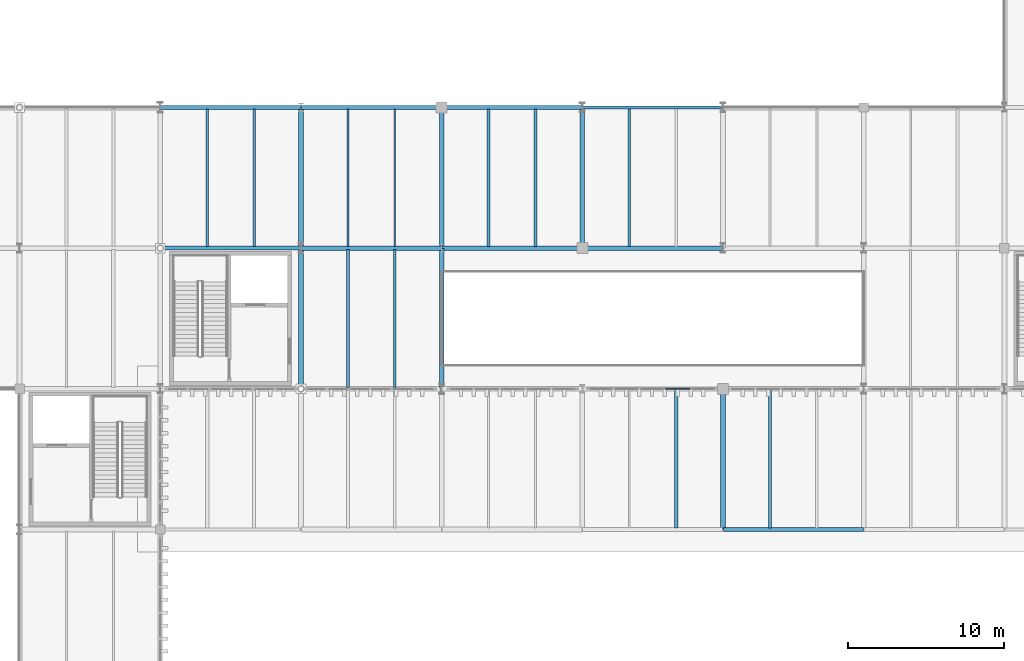
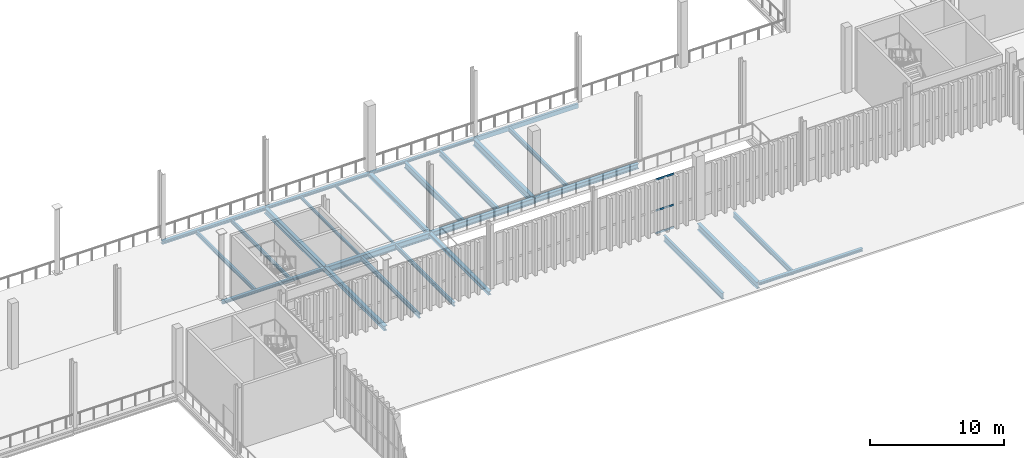
# One storey, part 66 of 211: 26 beams, 3 members, 1 element without a shape of its own.
"""IFC4 building model written with IfcOpenShell, lengths in metres."""

import ifcopenshell
import ifcopenshell.guid

model = None  # the IFC model being written
_history = None  # IfcOwnerHistory: only IFC2X3 demands one
_inside = {}  # id of a spatial element -> (the spatial element, [elements in it])
_under = {}  # id of a project, library or spatial element -> (it, [spatial elements below it])
_declared = {}  # id of a project -> (the project, [libraries it declares])
_typed = {}  # id of a type object -> (the type object, [elements of that type])
_made_of = {}  # id of a material, layer set ... -> (it, [elements and type objects made of it])


def new_model(schema):
    """Start an empty IFC model of exactly this schema.

    Asked for "IFC4X3", IfcOpenShell would pick the latest addendum, in which some entities
    have other attributes; the version numbers below select the first issue.
    IFC2X3 requires an IfcOwnerHistory on every rooted entity: one is made here for all.
    """
    global model, _history
    if schema == "IFC4X3":
        model = ifcopenshell.file(schema_version=(4, 3, 0, 0))
    else:
        model = ifcopenshell.file(schema=schema)
    _inside.clear()
    _under.clear()
    _declared.clear()
    _typed.clear()
    _made_of.clear()
    _history = None
    if model.schema == "IFC2X3":
        org = make("IfcOrganization", Name="unknown")
        user = make(
            "IfcPersonAndOrganization",
            ThePerson=make("IfcPerson", FamilyName="unknown"),
            TheOrganization=org,
        )
        app = make(
            "IfcApplication",
            ApplicationDeveloper=org,
            Version="unknown",
            ApplicationFullName="unknown",
            ApplicationIdentifier="unknown",
        )
        _history = make(
            "IfcOwnerHistory",
            OwningUser=user,
            OwningApplication=app,
            ChangeAction="ADDED",
            CreationDate=0,
        )
    return model


def make(cls, **values):
    """One entity of the class cls with the attributes given. An attribute that is None is left unset."""
    return model.create_entity(
        cls, **{name: value for name, value in values.items() if value is not None}
    )


def rooted(cls, **values):
    """An entity with a GlobalId (a new one), such as an element, a storey or a relation."""
    return make(cls, GlobalId=ifcopenshell.guid.new(), OwnerHistory=_history, **values)


def si_unit(unit_type, name, prefix=None):
    """IfcSIUnit, for example si_unit("LENGTHUNIT", "METRE", prefix="MILLI")."""
    return make("IfcSIUnit", UnitType=unit_type, Prefix=prefix, Name=name)


def assignment(units):
    """IfcUnitAssignment: the units of a project."""
    return None if units is None else make("IfcUnitAssignment", Units=units)


def point(xyz):
    """IfcCartesianPoint."""
    return None if xyz is None else make("IfcCartesianPoint", Coordinates=xyz)


def direction(xyz):
    """IfcDirection."""
    return None if xyz is None else make("IfcDirection", DirectionRatios=xyz)


def frame(location, z_axis=None, x_axis=None):
    """IfcAxis2Placement3D, a coordinate frame: its origin and axes. An axis left out is left unset."""
    return make(
        "IfcAxis2Placement3D",
        Location=point(location),
        Axis=direction(z_axis),
        RefDirection=direction(x_axis),
    )


def frame_2d(location, x_axis=None):
    """IfcAxis2Placement2D, a coordinate frame in the plane: its origin and x axis."""
    return make(
        "IfcAxis2Placement2D", Location=point(location), RefDirection=direction(x_axis)
    )


def origin():
    """The frame at (0, 0, 0) with its axes left unset."""
    return frame((0.0, 0.0, 0.0))


def origin_2d():
    """The frame at (0, 0) in the plane with its x axis left unset."""
    return frame_2d((0.0, 0.0))


def place(relative_to, where):
    """IfcLocalPlacement: puts the frame where relative to a parent placement (None: the world)."""
    return make(
        "IfcLocalPlacement", PlacementRelTo=relative_to, RelativePlacement=where
    )


def context(
    kind, dimensions, precision=None, world=None, true_north=None, identifier=None
):
    """IfcGeometricRepresentationContext, for example the 3D "Model" context."""
    return make(
        "IfcGeometricRepresentationContext",
        ContextIdentifier=identifier,
        ContextType=kind,
        CoordinateSpaceDimension=dimensions,
        Precision=precision,
        WorldCoordinateSystem=world,
        TrueNorth=true_north,
    )


def subcontext(parent, identifier, kind, view, scale=None):
    """IfcGeometricRepresentationSubContext, for example "Body" below "Model"."""
    return make(
        "IfcGeometricRepresentationSubContext",
        ContextIdentifier=identifier,
        ContextType=kind,
        ParentContext=parent,
        TargetScale=scale,
        TargetView=view,
    )


def project(units=None, contexts=None):
    """IfcProject with its units and contexts."""
    return rooted(
        "IfcProject",
        Name="project",
        RepresentationContexts=contexts,
        UnitsInContext=assignment(units),
    )


def spatial(cls, under=None, at=None, **own):
    """A site, building, storey or space (cls), placed at a placement, below another one or the project."""
    s = rooted(cls, ObjectPlacement=at, **own)
    if under is not None:
        _under.setdefault(under.id(), (under, []))[1].append(s)
    return s


def profile(cls, at=None, kind="AREA", **sizes):
    """A parametric profile (cls). Its sizes go by their IFC names, for example OverallWidth=200.0."""
    return make(cls, ProfileType=kind, Position=at, **sizes)


def hollow_rectangle(**sizes):
    """IfcRectangleHollowProfileDef."""
    return profile("IfcRectangleHollowProfileDef", **sizes)


def i_section(**sizes):
    """IfcIShapeProfileDef."""
    return profile("IfcIShapeProfileDef", **sizes)


def extrude(swept, where, along, depth):
    """IfcExtrudedAreaSolid: the profile swept, set in the frame where, extruded along a direction by depth."""
    return make(
        "IfcExtrudedAreaSolid",
        SweptArea=swept,
        Position=where,
        ExtrudedDirection=direction(along),
        Depth=depth,
    )


def shape(context_of_items, identifier, shape_type, items):
    """IfcShapeRepresentation: the items that make up one representation, for example the "Body"."""
    return make(
        "IfcShapeRepresentation",
        ContextOfItems=context_of_items,
        RepresentationIdentifier=identifier,
        RepresentationType=shape_type,
        Items=items,
    )


def material(Name=None, Category=None):
    """IfcMaterial."""
    return make("IfcMaterial", Name=Name, Category=Category)


def layer(
    of_material, thickness, ventilated=None, Name=None, Category=None, Priority=None
):
    """IfcMaterialLayer: one layer of a wall or slab, of a material (None: an air gap)."""
    return make(
        "IfcMaterialLayer",
        Material=of_material,
        LayerThickness=thickness,
        IsVentilated=ventilated,
        Name=Name,
        Category=Category,
        Priority=Priority,
    )


def layer_set(layers, Name=None):
    """IfcMaterialLayerSet."""
    return make("IfcMaterialLayerSet", MaterialLayers=layers, LayerSetName=Name)


def material_profile(
    of_material, cross_section, Name=None, Category=None, Priority=None
):
    """IfcMaterialProfile: a cross section and its material."""
    return make(
        "IfcMaterialProfile",
        Name=Name,
        Material=of_material,
        Profile=cross_section,
        Priority=Priority,
        Category=Category,
    )


def profile_set(profiles, Name=None, composite=None):
    """IfcMaterialProfileSet."""
    return make(
        "IfcMaterialProfileSet",
        Name=Name,
        MaterialProfiles=profiles,
        CompositeProfile=composite,
    )


def made_of(thing, what):
    """Note that an element or type object is made of a material, layer set ...; save() writes the relation."""
    if what is not None:
        _made_of.setdefault(what.id(), (what, []))[1].append(thing)
    return thing


def type_object(cls, material=None, **own):
    """A type object (cls), such as IfcWallType, which elements share."""
    return made_of(rooted(cls, **own), material)


def element(
    cls,
    number,
    at=None,
    inside=None,
    cuts=None,
    type_object=None,
    material=None,
    context=None,
    identifier="Body",
    shape_type=None,
    held_by="IfcProductDefinitionShape",
    body=None,
    shapes=None,
    **own,
):
    """One element of the class cls, such as IfcWall. Its Tag is "e" and its number.

    at: its placement. inside: the storey or other place that contains it. cuts: it is an
    opening in that element (IfcRelVoidsElement). A single representation is given by context,
    identifier, shape_type and body (its items); several are given by shapes. held_by: the class
    of the entity that holds the representations. save() writes the other relations.
    """
    e = rooted(cls, Tag="e%d" % number, ObjectPlacement=at, **own)
    if body is not None:
        shapes = [shape(context, identifier, shape_type, body)]
    if shapes is not None:
        e.Representation = make(held_by, Representations=shapes)
    if inside is not None:
        _inside.setdefault(inside.id(), (inside, []))[1].append(e)
    if cuts is not None:
        rooted(
            "IfcRelVoidsElement", RelatingBuildingElement=cuts, RelatedOpeningElement=e
        )
    if type_object is not None:
        _typed.setdefault(type_object.id(), (type_object, []))[1].append(e)
    return made_of(e, material)


def aggregate(whole, parts):
    """IfcRelAggregates: a whole, such as a stair, and the parts it consists of."""
    return rooted("IfcRelAggregates", RelatingObject=whole, RelatedObjects=parts)


def save(model, path):
    """Write the relations noted so far, then the file.

    IfcRelAggregates (storeys below a building ...), IfcRelContainedInSpatialStructure (elements
    in a storey), IfcRelDefinesByType, IfcRelAssociatesMaterial and IfcRelDeclares: one each for
    every whole, place, type object, material and project.
    """
    for whole, parts in _under.values():
        aggregate(whole, parts)
    for where, things in _inside.values():
        rooted(
            "IfcRelContainedInSpatialStructure",
            RelatedElements=things,
            RelatingStructure=where,
        )
    for kind, things in _typed.values():
        rooted("IfcRelDefinesByType", RelatedObjects=things, RelatingType=kind)
    for what, things in _made_of.values():
        rooted("IfcRelAssociatesMaterial", RelatedObjects=things, RelatingMaterial=what)
    for by, libraries in _declared.values():
        rooted("IfcRelDeclares", RelatingContext=by, RelatedDefinitions=libraries)
    model.write(path)


model = new_model("IFC4")

# Units and contexts
model_context = context("Model", 3, precision=1e-05, world=origin(), true_north=direction((0.0, 1.0)))
body_context = subcontext(model_context, "Body", "Model", "MODEL_VIEW")
ifc_project = project(units=[si_unit("LENGTHUNIT", "METRE"), si_unit("AREAUNIT", "SQUARE_METRE"), si_unit("VOLUMEUNIT", "CUBIC_METRE"), si_unit("PLANEANGLEUNIT", "RADIAN"), si_unit("MASSUNIT", "GRAM", prefix="KILO")], contexts=[model_context])

# Site, building, storey
site_placement = place(None, origin())
site = spatial("IfcSite", under=ifc_project, at=site_placement, CompositionType="ELEMENT")
building_placement = place(site_placement, origin())
building = spatial("IfcBuilding", under=site, at=building_placement, Name="Barlavento Convention Centre", CompositionType="ELEMENT")
storey_placement = place(building_placement, frame((0.0, 0.0, 6.0)))
storey = spatial("IfcBuildingStorey", under=building, at=storey_placement, Name="L01", CompositionType="ELEMENT", Elevation=6.0)

# Curtain wall, members
ifc_material_1 = material(Name="Powder-coated aluminium and Low-E glass", Category="aluminium")
ifc_layer = layer(ifc_material_1, 0.195068359375)
ifc_layer_set = layer_set([ifc_layer], Name="ARC-CW-FOY-L01")
curtain_wall_type = type_object("IfcCurtainWallType", Name="ARC-CW-FOY-L01", PredefinedType="NOTDEFINED", material=ifc_layer_set)
curtain_wall_placement = place(storey_placement, origin())
curtain_wall = element("IfcCurtainWall", 1, at=curtain_wall_placement, inside=storey, type_object=curtain_wall_type, Name="L01 unitised curtain wall CW03", PredefinedType="NOTDEFINED")
ifc_material_2 = material(Name="Powder-coated aluminium", Category="aluminium")
ifc_material_profile_1 = material_profile(ifc_material_2, hollow_rectangle(XDim=0.06494140625, YDim=0.159912109375, WallThickness=0.0048828125, at=origin_2d()), Name="AL-TRAN 65x160x5")
ifc_profile_set_1 = profile_set([ifc_material_profile_1], Name="Powder-coated aluminium")
member_type = type_object("IfcMemberType", Name="ARC-CWT-65X160", PredefinedType="USERDEFINED", material=ifc_profile_set_1)
member_1_placement = place(storey_placement, frame((95.311279296875, 45.0, 0.032470703125), z_axis=(1.0, 0.0, 0.0), x_axis=(0.0, 1.0, 0.0)))
member_1 = element("IfcMember", 2, at=member_1_placement, type_object=member_type, Name="CW03 transom 4.1", ObjectType="TRANSOM", PredefinedType="USERDEFINED", context=body_context, shape_type="SweptSolid", body=[
    extrude(hollow_rectangle(XDim=0.06494140625, YDim=0.159912109375, WallThickness=0.0048828125, at=origin_2d()), origin(), (0.0, 0.0, 1.0), 1.58056640625),
])
member_2_placement = place(storey_placement, frame((95.311279296875, 45.0, 2.10009765625), z_axis=(1.0, 0.0, 0.0), x_axis=(0.0, 1.0, 0.0)))
member_2 = element("IfcMember", 3, at=member_2_placement, type_object=member_type, Name="CW03 transom 4.2", ObjectType="TRANSOM", PredefinedType="USERDEFINED", context=body_context, shape_type="SweptSolid", body=[
    extrude(hollow_rectangle(XDim=0.06494140625, YDim=0.159912109375, WallThickness=0.0048828125, at=origin_2d()), origin(), (0.0, 0.0, 1.0), 1.58056640625),
])
member_3_placement = place(storey_placement, frame((95.311279296875, 45.0, 4.91748046875), z_axis=(1.0, 0.0, 0.0), x_axis=(0.0, 1.0, 0.0)))
member_3 = element("IfcMember", 4, at=member_3_placement, type_object=member_type, Name="CW03 transom 4.3", ObjectType="TRANSOM", PredefinedType="USERDEFINED", context=body_context, shape_type="SweptSolid", body=[
    extrude(hollow_rectangle(XDim=0.06494140625, YDim=0.159912109375, WallThickness=0.0048828125, at=origin_2d()), origin(), (0.0, 0.0, 1.0), 1.58056640625),
])
aggregate(curtain_wall, [member_1, member_2, member_3])

# Beams
ifc_material_3 = material(Name="Steel S355", Category="steel")
ifc_material_profile_2 = material_profile(ifc_material_3, i_section(OverallWidth=0.1201171875, OverallDepth=0.239990234375, WebThickness=0.006103515625, FlangeThickness=0.009765625, FilletRadius=0.014892578125, at=origin_2d()), Name="IPE 240")
ifc_profile_set_2 = profile_set([ifc_material_profile_2], Name="Steel S355")
beam_type_1 = type_object("IfcBeamType", Name="STR-BM-JST-IPE240", PredefinedType="JOIST", material=ifc_profile_set_2)
beam_1_placement = place(storey_placement, frame((78.0, 54.094970703125, -0.409912109375), z_axis=(0.0, 1.0, 0.0), x_axis=(-1.0, 0.0, 0.0)))
element("IfcBeam", 5, at=beam_1_placement, inside=storey, type_object=beam_type_1, Name="L01 composite floor joist SJ09", PredefinedType="JOIST", context=body_context, shape_type="SweptSolid", body=[
    extrude(i_section(OverallWidth=0.1201171875, OverallDepth=0.239990234375, WebThickness=0.006103515625, FlangeThickness=0.009765625, FilletRadius=0.014892578125, at=origin_2d()), origin(), (0.0, 0.0, 1.0), 8.81005859375),
])
ifc_material_profile_3 = material_profile(ifc_material_3, i_section(OverallWidth=0.135009765625, OverallDepth=0.27001953125, WebThickness=0.006591796875, FlangeThickness=0.01025390625, FilletRadius=0.014892578125, at=origin_2d()), Name="IPE 270")
ifc_profile_set_3 = profile_set([ifc_material_profile_3], Name="Steel S355")
beam_type_2 = type_object("IfcBeamType", Name="STR-BM-JST-IPE270", PredefinedType="JOIST", material=ifc_profile_set_3)
beam_2_placement = place(storey_placement, frame((75.0, 54.094970703125, -0.425048828125), z_axis=(0.0, 1.0, 0.0), x_axis=(-1.0, 0.0, 0.0)))
element("IfcBeam", 6, at=beam_2_placement, inside=storey, type_object=beam_type_2, Name="L01 composite floor joist SJ08", PredefinedType="JOIST", context=body_context, shape_type="SweptSolid", body=[
    extrude(i_section(OverallWidth=0.135009765625, OverallDepth=0.27001953125, WebThickness=0.006591796875, FlangeThickness=0.01025390625, FilletRadius=0.014892578125, at=origin_2d()), origin(), (0.0, 0.0, 1.0), 8.81005859375),
])
ifc_material_profile_4 = material_profile(ifc_material_3, i_section(OverallWidth=0.159912109375, OverallDepth=0.330078125, WebThickness=0.007568359375, FlangeThickness=0.011474609375, FilletRadius=0.01806640625, at=origin_2d()), Name="IPE 330")
ifc_profile_set_4 = profile_set([ifc_material_profile_4], Name="Steel S355")
beam_type_3 = type_object("IfcBeamType", Name="STR-BM-JST-IPE330", PredefinedType="JOIST", material=ifc_profile_set_4)
beam_3_placement = place(storey_placement, frame((69.0, 54.094970703125, -0.455078125), z_axis=(0.0, 1.0, 0.0), x_axis=(-1.0, 0.0, 0.0)))
element("IfcBeam", 7, at=beam_3_placement, inside=storey, type_object=beam_type_3, Name="L01 composite floor joist SJ06", PredefinedType="JOIST", context=body_context, shape_type="SweptSolid", body=[
    extrude(i_section(OverallWidth=0.159912109375, OverallDepth=0.330078125, WebThickness=0.007568359375, FlangeThickness=0.011474609375, FilletRadius=0.01806640625, at=origin_2d()), origin(), (0.0, 0.0, 1.0), 8.81005859375),
])
ifc_material_profile_5 = material_profile(ifc_material_3, i_section(OverallWidth=0.169921875, OverallDepth=0.360107421875, WebThickness=0.008056640625, FlangeThickness=0.0126953125, FilletRadius=0.01806640625, at=origin_2d()), Name="IPE 360")
ifc_profile_set_5 = profile_set([ifc_material_profile_5], Name="Steel S355")
beam_type_4 = type_object("IfcBeamType", Name="STR-BM-JST-IPE360", PredefinedType="JOIST", material=ifc_profile_set_5)
for number, where, z_axis, x_axis, name in (
    (8, (78.0, 45.094970703125, -0.469970703125), (0.0, 1.0, 0.0), (-1.0, 0.0, 0.0), "L01 composite floor joist SJ05"),
    (9, (66.0, 54.094970703125, -0.469970703125), (0.0, 1.0, 0.0), (-1.0, 0.0, 0.0), "L01 composite floor joist SJ05"),
):
    element("IfcBeam", number, at=place(storey_placement, frame(where, z_axis=z_axis, x_axis=x_axis)), inside=storey, type_object=beam_type_4, Name=name, PredefinedType="JOIST", context=body_context, shape_type="SweptSolid", body=[
        extrude(i_section(OverallWidth=0.169921875, OverallDepth=0.360107421875, WebThickness=0.008056640625, FlangeThickness=0.0126953125, FilletRadius=0.01806640625, at=origin_2d()), origin(), (0.0, 0.0, 1.0), 8.81005859375),
    ])
ifc_material_profile_6 = material_profile(ifc_material_3, i_section(OverallWidth=0.179931640625, OverallDepth=0.39990234375, WebThickness=0.008544921875, FlangeThickness=0.013427734375, FilletRadius=0.02099609375, at=origin_2d()), Name="IPE 400")
ifc_profile_set_6 = profile_set([ifc_material_profile_6], Name="Steel S355")
beam_type_5 = type_object("IfcBeamType", Name="STR-BM-JST-IPE400", PredefinedType="JOIST", material=ifc_profile_set_6)
for number, where, z_axis, x_axis, name in (
    (10, (75.0, 45.094970703125, -0.489990234375), (0.0, 1.0, 0.0), (-1.0, 0.0, 0.0), "L01 composite floor joist SJ04"),
    (11, (93.0, 54.094970703125, -0.489990234375), (0.0, 1.0, 0.0), (-1.0, 0.0, 0.0), "L01 composite floor joist SJ04"),
):
    element("IfcBeam", number, at=place(storey_placement, frame(where, z_axis=z_axis, x_axis=x_axis)), inside=storey, type_object=beam_type_5, Name=name, PredefinedType="JOIST", context=body_context, shape_type="SweptSolid", body=[
        extrude(i_section(OverallWidth=0.179931640625, OverallDepth=0.39990234375, WebThickness=0.008544921875, FlangeThickness=0.013427734375, FilletRadius=0.02099609375, at=origin_2d()), origin(), (0.0, 0.0, 1.0), 8.81005859375),
    ])
ifc_material_profile_7 = material_profile(ifc_material_3, i_section(OverallWidth=0.18994140625, OverallDepth=0.449951171875, WebThickness=0.009521484375, FlangeThickness=0.0146484375, FilletRadius=0.02099609375, at=origin_2d()), Name="IPE 450")
ifc_profile_set_7 = profile_set([ifc_material_profile_7], Name="Steel S355")
beam_type_6 = type_object("IfcBeamType", Name="STR-BM-JST-IPE450", PredefinedType="JOIST", material=ifc_profile_set_7)
beam_4_placement = place(storey_placement, frame((102.0, 36.094970703125, -0.514892578125), z_axis=(0.0, 1.0, 0.0), x_axis=(-1.0, 0.0, 0.0)))
element("IfcBeam", 12, at=beam_4_placement, inside=storey, type_object=beam_type_6, Name="L01 composite floor joist SJ03", PredefinedType="JOIST", context=body_context, shape_type="SweptSolid", body=[
    extrude(i_section(OverallWidth=0.18994140625, OverallDepth=0.449951171875, WebThickness=0.009521484375, FlangeThickness=0.0146484375, FilletRadius=0.02099609375, at=origin_2d()), origin(), (0.0, 0.0, 1.0), 8.81005859375),
])
ifc_material_profile_8 = material_profile(ifc_material_3, i_section(OverallWidth=0.199951171875, OverallDepth=0.5, WebThickness=0.01025390625, FlangeThickness=0.01611328125, FilletRadius=0.02099609375, at=origin_2d()), Name="IPE 500")
ifc_profile_set_8 = profile_set([ifc_material_profile_8], Name="Steel S355")
beam_type_7 = type_object("IfcBeamType", Name="STR-BM-JST-IPE500", PredefinedType="JOIST", material=ifc_profile_set_8)
beam_5_placement = place(storey_placement, frame((87.0, 54.094970703125, -0.5400390625), z_axis=(0.0, 1.0, 0.0), x_axis=(-1.0, 0.0, 0.0)))
element("IfcBeam", 13, at=beam_5_placement, inside=storey, type_object=beam_type_7, Name="L01 composite floor joist SJ02", PredefinedType="JOIST", context=body_context, shape_type="SweptSolid", body=[
    extrude(i_section(OverallWidth=0.199951171875, OverallDepth=0.5, WebThickness=0.01025390625, FlangeThickness=0.01611328125, FilletRadius=0.02099609375, at=origin_2d()), origin(), (0.0, 0.0, 1.0), 8.81005859375),
])
ifc_material_profile_9 = material_profile(ifc_material_3, i_section(OverallWidth=0.2099609375, OverallDepth=0.550048828125, WebThickness=0.010986328125, FlangeThickness=0.01708984375, FilletRadius=0.02392578125, at=origin_2d()), Name="IPE 550")
ifc_profile_set_9 = profile_set([ifc_material_profile_9], Name="Steel S355")
beam_type_8 = type_object("IfcBeamType", Name="STR-BM-JST-IPE550", PredefinedType="JOIST", material=ifc_profile_set_9)
for number, where, z_axis, x_axis, name in (
    (14, (96.0, 36.094970703125, -0.56494140625), (0.0, 1.0, 0.0), (-1.0, 0.0, 0.0), "L01 composite floor joist SJ01"),
    (15, (84.0, 54.094970703125, -0.56494140625), (0.0, 1.0, 0.0), (-1.0, 0.0, 0.0), "L01 composite floor joist SJ01"),
):
    element("IfcBeam", number, at=place(storey_placement, frame(where, z_axis=z_axis, x_axis=x_axis)), inside=storey, type_object=beam_type_8, Name=name, PredefinedType="JOIST", context=body_context, shape_type="SweptSolid", body=[
        extrude(i_section(OverallWidth=0.2099609375, OverallDepth=0.550048828125, WebThickness=0.010986328125, FlangeThickness=0.01708984375, FilletRadius=0.02392578125, at=origin_2d()), origin(), (0.0, 0.0, 1.0), 8.81005859375),
    ])
ifc_material_profile_10 = material_profile(ifc_material_3, i_section(OverallWidth=0.300048828125, OverallDepth=0.330078125, WebThickness=0.009521484375, FlangeThickness=0.0166015625, FilletRadius=0.027099609375, at=origin_2d()), Name="HEA 340")
ifc_profile_set_10 = profile_set([ifc_material_profile_10], Name="Steel S355")
beam_type_9 = type_object("IfcBeamType", Name="STR-BM-PRI-HEA340", PredefinedType="BEAM", material=ifc_profile_set_10)
beam_6_placement = place(storey_placement, frame((81.0, 45.02001953125, -0.455078125), z_axis=(0.0, 1.0, 0.0), x_axis=(-1.0, 0.0, 0.0)))
element("IfcBeam", 16, at=beam_6_placement, inside=storey, type_object=beam_type_9, Name="L01 grid girder BG24", PredefinedType="BEAM", context=body_context, shape_type="SweptSolid", body=[
    extrude(i_section(OverallWidth=0.300048828125, OverallDepth=0.330078125, WebThickness=0.009521484375, FlangeThickness=0.0166015625, FilletRadius=0.027099609375, at=origin_2d()), origin(), (0.0, 0.0, 1.0), 8.9599609375),
])
ifc_material_profile_11 = material_profile(ifc_material_3, i_section(OverallWidth=0.300048828125, OverallDepth=0.389892578125, WebThickness=0.010986328125, FlangeThickness=0.01904296875, FilletRadius=0.027099609375, at=origin_2d()), Name="HEA 400")
ifc_profile_set_11 = profile_set([ifc_material_profile_11], Name="Steel S355")
beam_type_10 = type_object("IfcBeamType", Name="STR-BM-PRI-HEA400", PredefinedType="BEAM", material=ifc_profile_set_11)
beam_7_placement = place(storey_placement, frame((81.0, 54.02001953125, -0.485107421875), z_axis=(0.0, 1.0, 0.0), x_axis=(-1.0, 0.0, 0.0)))
element("IfcBeam", 17, at=beam_7_placement, inside=storey, type_object=beam_type_10, Name="L01 grid girder BG22", PredefinedType="BEAM", context=body_context, shape_type="SweptSolid", body=[
    extrude(i_section(OverallWidth=0.300048828125, OverallDepth=0.389892578125, WebThickness=0.010986328125, FlangeThickness=0.01904296875, FilletRadius=0.027099609375, at=origin_2d()), origin(), (0.0, 0.0, 1.0), 8.9599609375),
])
ifc_material_profile_12 = material_profile(ifc_material_3, i_section(OverallWidth=0.300048828125, OverallDepth=0.43994140625, WebThickness=0.011474609375, FlangeThickness=0.02099609375, FilletRadius=0.027099609375, at=origin_2d()), Name="HEA 450")
ifc_profile_set_12 = profile_set([ifc_material_profile_12], Name="Steel S355")
beam_type_11 = type_object("IfcBeamType", Name="STR-BM-PRI-HEA450", PredefinedType="BEAM", material=ifc_profile_set_12)
beam_8_placement = place(storey_placement, frame((72.0, 45.02001953125, -0.510009765625), z_axis=(0.0, 1.0, 0.0), x_axis=(-1.0, 0.0, 0.0)))
element("IfcBeam", 18, at=beam_8_placement, inside=storey, type_object=beam_type_11, Name="L01 grid girder BG21", PredefinedType="BEAM", context=body_context, shape_type="SweptSolid", body=[
    extrude(i_section(OverallWidth=0.300048828125, OverallDepth=0.43994140625, WebThickness=0.011474609375, FlangeThickness=0.02099609375, FilletRadius=0.027099609375, at=origin_2d()), origin(), (0.0, 0.0, 1.0), 8.9599609375),
])
ifc_material_profile_13 = material_profile(ifc_material_3, i_section(OverallWidth=0.300048828125, OverallDepth=0.5400390625, WebThickness=0.012451171875, FlangeThickness=0.02392578125, FilletRadius=0.027099609375, at=origin_2d()), Name="HEA 550")
ifc_profile_set_13 = profile_set([ifc_material_profile_13], Name="Steel S355")
beam_type_12 = type_object("IfcBeamType", Name="STR-BM-PRI-HEA550", PredefinedType="BEAM", material=ifc_profile_set_13)
beam_9_placement = place(storey_placement, frame((72.0, 54.02001953125, -0.56005859375), z_axis=(0.0, 1.0, 0.0), x_axis=(-1.0, 0.0, 0.0)))
element("IfcBeam", 19, at=beam_9_placement, inside=storey, type_object=beam_type_12, Name="L01 grid girder BG19", PredefinedType="BEAM", context=body_context, shape_type="SweptSolid", body=[
    extrude(i_section(OverallWidth=0.300048828125, OverallDepth=0.5400390625, WebThickness=0.012451171875, FlangeThickness=0.02392578125, FilletRadius=0.027099609375, at=origin_2d()), origin(), (0.0, 0.0, 1.0), 8.9599609375),
])
ifc_material_profile_14 = material_profile(ifc_material_3, i_section(OverallWidth=0.300048828125, OverallDepth=0.590087890625, WebThickness=0.012939453125, FlangeThickness=0.02490234375, FilletRadius=0.027099609375, at=origin_2d()), Name="HEA 600")
ifc_profile_set_14 = profile_set([ifc_material_profile_14], Name="Steel S355")
beam_type_13 = type_object("IfcBeamType", Name="STR-BM-PRI-HEA600", PredefinedType="BEAM", material=ifc_profile_set_14)
beam_10_placement = place(storey_placement, frame((99.0, 36.02001953125, -0.5849609375), z_axis=(0.0, 1.0, 0.0), x_axis=(-1.0, 0.0, 0.0)))
element("IfcBeam", 20, at=beam_10_placement, inside=storey, type_object=beam_type_13, Name="L01 grid girder BG18", PredefinedType="BEAM", context=body_context, shape_type="SweptSolid", body=[
    extrude(i_section(OverallWidth=0.300048828125, OverallDepth=0.590087890625, WebThickness=0.012939453125, FlangeThickness=0.02490234375, FilletRadius=0.027099609375, at=origin_2d()), origin(), (0.0, 0.0, 1.0), 8.9599609375),
])
ifc_material_profile_15 = material_profile(ifc_material_3, i_section(OverallWidth=0.300048828125, OverallDepth=0.639892578125, WebThickness=0.013427734375, FlangeThickness=0.02587890625, FilletRadius=0.027099609375, at=origin_2d()), Name="HEA 650")
ifc_profile_set_15 = profile_set([ifc_material_profile_15], Name="Steel S355")
beam_type_14 = type_object("IfcBeamType", Name="STR-BM-PRI-HEA650", PredefinedType="BEAM", material=ifc_profile_set_15)
beam_11_placement = place(storey_placement, frame((90.0, 54.02001953125, -0.610107421875), z_axis=(0.0, 1.0, 0.0), x_axis=(-1.0, 0.0, 0.0)))
element("IfcBeam", 21, at=beam_11_placement, inside=storey, type_object=beam_type_14, Name="L01 grid girder BG17", PredefinedType="BEAM", context=body_context, shape_type="SweptSolid", body=[
    extrude(i_section(OverallWidth=0.300048828125, OverallDepth=0.639892578125, WebThickness=0.013427734375, FlangeThickness=0.02587890625, FilletRadius=0.027099609375, at=origin_2d()), origin(), (0.0, 0.0, 1.0), 8.9599609375),
])
ifc_material_profile_16 = material_profile(ifc_material_3, i_section(OverallWidth=0.260009765625, OverallDepth=0.260009765625, WebThickness=0.010009765625, FlangeThickness=0.017578125, FilletRadius=0.02392578125, at=origin_2d()), Name="HEB 260")
ifc_profile_set_16 = profile_set([ifc_material_profile_16], Name="Steel S355")
beam_type_15 = type_object("IfcBeamType", Name="STR-BM-PRI-HEB260", PredefinedType="BEAM", material=ifc_profile_set_16)
beam_12_placement = place(storey_placement, frame((63.02001953125, 54.0, -0.429931640625), z_axis=(1.0, 0.0, 0.0), x_axis=(0.0, 1.0, 0.0)))
element("IfcBeam", 22, at=beam_12_placement, inside=storey, type_object=beam_type_15, Name="L01 primary girder BG16", PredefinedType="BEAM", context=body_context, shape_type="SweptSolid", body=[
    extrude(i_section(OverallWidth=0.260009765625, OverallDepth=0.260009765625, WebThickness=0.010009765625, FlangeThickness=0.017578125, FilletRadius=0.02392578125, at=origin_2d()), origin(), (0.0, 0.0, 1.0), 8.9599609375),
])
ifc_material_profile_17 = material_profile(ifc_material_3, i_section(OverallWidth=0.300048828125, OverallDepth=0.449951171875, WebThickness=0.013916015625, FlangeThickness=0.02587890625, FilletRadius=0.027099609375, at=origin_2d()), Name="HEB 450")
ifc_profile_set_17 = profile_set([ifc_material_profile_17], Name="Steel S355")
beam_type_16 = type_object("IfcBeamType", Name="STR-BM-PRI-HEB450", PredefinedType="BEAM", material=ifc_profile_set_17)
beam_13_placement = place(storey_placement, frame((90.02001953125, 54.0, -0.514892578125), z_axis=(1.0, 0.0, 0.0), x_axis=(0.0, 1.0, 0.0)))
element("IfcBeam", 23, at=beam_13_placement, inside=storey, type_object=beam_type_16, Name="L01 primary girder BG10", PredefinedType="BEAM", context=body_context, shape_type="SweptSolid", body=[
    extrude(i_section(OverallWidth=0.300048828125, OverallDepth=0.449951171875, WebThickness=0.013916015625, FlangeThickness=0.02587890625, FilletRadius=0.027099609375, at=origin_2d()), origin(), (0.0, 0.0, 1.0), 8.9599609375),
])
ifc_material_profile_18 = material_profile(ifc_material_3, i_section(OverallWidth=0.300048828125, OverallDepth=0.5, WebThickness=0.014404296875, FlangeThickness=0.028076171875, FilletRadius=0.027099609375, at=origin_2d()), Name="HEB 500")
ifc_profile_set_18 = profile_set([ifc_material_profile_18], Name="Steel S355")
beam_type_17 = type_object("IfcBeamType", Name="STR-BM-PRI-HEB500", PredefinedType="BEAM", material=ifc_profile_set_18)
beam_14_placement = place(storey_placement, frame((81.02001953125, 54.0, -0.5400390625), z_axis=(1.0, 0.0, 0.0), x_axis=(0.0, 1.0, 0.0)))
element("IfcBeam", 24, at=beam_14_placement, inside=storey, type_object=beam_type_17, Name="L01 primary girder BG09", PredefinedType="BEAM", context=body_context, shape_type="SweptSolid", body=[
    extrude(i_section(OverallWidth=0.300048828125, OverallDepth=0.5, WebThickness=0.014404296875, FlangeThickness=0.028076171875, FilletRadius=0.027099609375, at=origin_2d()), origin(), (0.0, 0.0, 1.0), 8.9599609375),
])
ifc_material_profile_19 = material_profile(ifc_material_3, i_section(OverallWidth=0.300048828125, OverallDepth=0.550048828125, WebThickness=0.014892578125, FlangeThickness=0.029052734375, FilletRadius=0.027099609375, at=origin_2d()), Name="HEB 550")
ifc_profile_set_19 = profile_set([ifc_material_profile_19], Name="Steel S355")
beam_type_18 = type_object("IfcBeamType", Name="STR-BM-PRI-HEB550", PredefinedType="BEAM", material=ifc_profile_set_19)
beam_15_placement = place(storey_placement, frame((72.02001953125, 54.0, -0.56494140625), z_axis=(1.0, 0.0, 0.0), x_axis=(0.0, 1.0, 0.0)))
element("IfcBeam", 25, at=beam_15_placement, inside=storey, type_object=beam_type_18, Name="L01 primary girder BG08", PredefinedType="BEAM", context=body_context, shape_type="SweptSolid", body=[
    extrude(i_section(OverallWidth=0.300048828125, OverallDepth=0.550048828125, WebThickness=0.014892578125, FlangeThickness=0.029052734375, FilletRadius=0.027099609375, at=origin_2d()), origin(), (0.0, 0.0, 1.0), 8.9599609375),
])
ifc_material_profile_20 = material_profile(ifc_material_3, i_section(OverallWidth=0.239990234375, OverallDepth=0.22998046875, WebThickness=0.007568359375, FlangeThickness=0.011962890625, FilletRadius=0.02099609375, at=origin_2d()), Name="HEA 240")
ifc_profile_set_20 = profile_set([ifc_material_profile_20], Name="Steel S355")
beam_type_19 = type_object("IfcBeamType", Name="STR-BM-SPN-HEA240", PredefinedType="SPANDREL", material=ifc_profile_set_20)
beam_16_placement = place(storey_placement, frame((81.02001953125, 63.0, -0.39501953125), z_axis=(1.0, 0.0, 0.0), x_axis=(0.0, 1.0, 0.0)))
element("IfcBeam", 26, at=beam_16_placement, inside=storey, type_object=beam_type_19, Name="L01 primary girder SP05", PredefinedType="SPANDREL", context=body_context, shape_type="SweptSolid", body=[
    extrude(i_section(OverallWidth=0.239990234375, OverallDepth=0.22998046875, WebThickness=0.007568359375, FlangeThickness=0.011962890625, FilletRadius=0.02099609375, at=origin_2d()), origin(), (0.0, 0.0, 1.0), 8.9599609375),
])
ifc_material_profile_21 = material_profile(ifc_material_3, i_section(OverallWidth=0.260009765625, OverallDepth=0.25, WebThickness=0.007568359375, FlangeThickness=0.012451171875, FilletRadius=0.02392578125, at=origin_2d()), Name="HEA 260")
ifc_profile_set_21 = profile_set([ifc_material_profile_21], Name="Steel S355")
beam_type_20 = type_object("IfcBeamType", Name="STR-BM-SPN-HEA260", PredefinedType="SPANDREL", material=ifc_profile_set_21)
for number, where, z_axis, x_axis, name in (
    (27, (99.02001953125, 36.0, -0.389892578125), (1.0, 0.0, 0.0), (0.0, 1.0, 0.0), "L01 primary girder SP04"),
    (28, (72.02001953125, 63.0, -0.405029296875), (1.0, 0.0, 0.0), (0.0, 1.0, 0.0), "L01 primary girder SP04"),
):
    element("IfcBeam", number, at=place(storey_placement, frame(where, z_axis=z_axis, x_axis=x_axis)), inside=storey, type_object=beam_type_20, Name=name, PredefinedType="SPANDREL", context=body_context, shape_type="SweptSolid", body=[
        extrude(i_section(OverallWidth=0.260009765625, OverallDepth=0.25, WebThickness=0.007568359375, FlangeThickness=0.012451171875, FilletRadius=0.02392578125, at=origin_2d()), origin(), (0.0, 0.0, 1.0), 8.9599609375),
    ])
ifc_material_profile_22 = material_profile(ifc_material_3, i_section(OverallWidth=0.280029296875, OverallDepth=0.27001953125, WebThickness=0.008056640625, FlangeThickness=0.012939453125, FilletRadius=0.02392578125, at=origin_2d()), Name="HEA 280")
ifc_profile_set_22 = profile_set([ifc_material_profile_22], Name="Steel S355")
beam_type_21 = type_object("IfcBeamType", Name="STR-BM-SPN-HEA280", PredefinedType="SPANDREL", material=ifc_profile_set_22)
beam_17_placement = place(storey_placement, frame((63.02001953125, 63.0, -0.4150390625), z_axis=(1.0, 0.0, 0.0), x_axis=(0.0, 1.0, 0.0)))
element("IfcBeam", 29, at=beam_17_placement, inside=storey, type_object=beam_type_21, Name="L01 primary girder SP03", PredefinedType="SPANDREL", context=body_context, shape_type="SweptSolid", body=[
    extrude(i_section(OverallWidth=0.280029296875, OverallDepth=0.27001953125, WebThickness=0.008056640625, FlangeThickness=0.012939453125, FilletRadius=0.02392578125, at=origin_2d()), origin(), (0.0, 0.0, 1.0), 8.9599609375),
])
ifc_material_profile_23 = material_profile(ifc_material_3, hollow_rectangle(XDim=0.199951171875, YDim=0.39990234375, WallThickness=0.01611328125, at=origin_2d()), Name="RHS 400x200x16.0")
ifc_profile_set_23 = profile_set([ifc_material_profile_23], Name="Steel S355")
beam_type_22 = type_object("IfcBeamType", Name="STR-BM-SPN-RHS400", PredefinedType="SPANDREL", material=ifc_profile_set_23)
beam_18_placement = place(storey_placement, frame((90.02001953125, 63.0, -0.47998046875), z_axis=(1.0, 0.0, 0.0), x_axis=(0.0, 1.0, 0.0)))
element("IfcBeam", 30, at=beam_18_placement, inside=storey, type_object=beam_type_22, Name="L01 primary girder SP06", PredefinedType="SPANDREL", context=body_context, shape_type="SweptSolid", body=[
    extrude(hollow_rectangle(XDim=0.199951171875, YDim=0.39990234375, WallThickness=0.01611328125, at=origin_2d()), origin(), (0.0, 0.0, 1.0), 8.9599609375),
])

save(model, "model.ifc")
